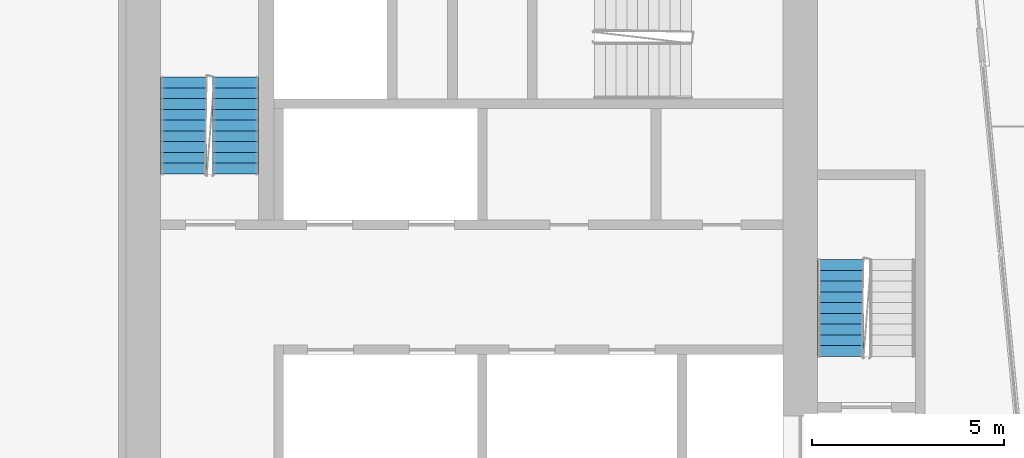
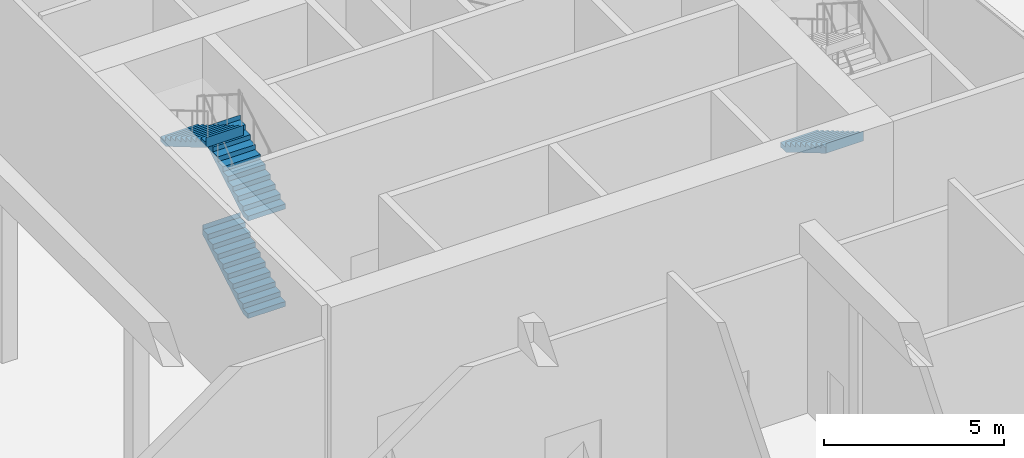
# One storey, part 19 of 24: 4 stair flights, 2 elements without a shape of their own.
"""IFC4 building model written with IfcOpenShell, lengths in metres."""

from ifc_helpers import new_model, si_unit, direction, frame, origin, place, context, subcontext, project, spatial, faceted_brep, material, type_object, element, aggregate, save


model = new_model("IFC4")

# Units and contexts
model_context = context("Model", 3, precision=1e-05, world=origin(), true_north=direction((0.0, 1.0)))
body_context = subcontext(model_context, "Body", "Model", "MODEL_VIEW")
ifc_project = project(units=[si_unit("LENGTHUNIT", "METRE"), si_unit("AREAUNIT", "SQUARE_METRE"), si_unit("VOLUMEUNIT", "CUBIC_METRE"), si_unit("PLANEANGLEUNIT", "RADIAN"), si_unit("MASSUNIT", "GRAM", prefix="KILO")], contexts=[model_context])

# Site, building, storey
site_placement = place(None, origin())
site = spatial("IfcSite", under=ifc_project, at=site_placement, CompositionType="ELEMENT")
building_placement = place(site_placement, origin())
building = spatial("IfcBuilding", under=site, at=building_placement, Name="Kajstack Hotel Tower", CompositionType="ELEMENT")
storey_placement = place(building_placement, frame((0.0, 0.0, 261.89990234375)))
storey = spatial("IfcBuildingStorey", under=building, at=storey_placement, Name="L65", CompositionType="ELEMENT", Elevation=261.89990234375)

# Stair, stair flight
ifc_material = material(Name="Concrete C40/50", Category="concrete")
stair_type = type_object("IfcStairType", Name="Exit stair 1200", PredefinedType="HALF_TURN_STAIR", material=ifc_material)
stair_1_placement = place(storey_placement, origin())
stair_1 = element("IfcStair", 1, at=stair_1_placement, inside=storey, type_object=stair_type, Name="L65 stair E1", PredefinedType="HALF_TURN_STAIR")
stair_flight_type = type_object("IfcStairFlightType", Name="Exit stair flight 1200", PredefinedType="STRAIGHT", material=ifc_material)
stair_flight_1_placement = place(storey_placement, frame((32.10009765625, 7.77001953125, 1.650146484375), z_axis=(0.0, 0.0, 1.0), x_axis=(0.0, -1.0, 0.0)))
stair_flight_1 = element("IfcStairFlight", 2, at=stair_flight_1_placement, type_object=stair_flight_type, Name="E1 flight 2", NumberOfRisers=10, NumberOfTreads=9, PredefinedType="STRAIGHT", RiserHeight=0.165, TreadLength=0.28, context=body_context, shape_type="Brep", body=[
    faceted_brep([(0.295654296875, -0.60009765625, 0.0), (2.5205078125, -0.60009765625, 1.31103515625), (2.5205078125, -0.60009765625, 1.64990234375), (2.52001953125, -0.60009765625, 1.64990234375), (2.52001953125, -0.60009765625, 1.485107421875), (2.239990234375, -0.60009765625, 1.485107421875), (2.239990234375, -0.60009765625, 1.320068359375), (1.9599609375, -0.60009765625, 1.320068359375), (1.9599609375, -0.60009765625, 1.155029296875), (1.679931640625, -0.60009765625, 1.155029296875), (1.679931640625, -0.60009765625, 0.989990234375), (1.39990234375, -0.60009765625, 0.989990234375), (1.39990234375, -0.60009765625, 0.824951171875), (1.1201171875, -0.60009765625, 0.824951171875), (1.1201171875, -0.60009765625, 0.659912109375), (0.840087890625, -0.60009765625, 0.659912109375), (0.840087890625, -0.60009765625, 0.4951171875), (0.56005859375, -0.60009765625, 0.4951171875), (0.56005859375, -0.60009765625, 0.330078125), (0.280029296875, -0.60009765625, 0.330078125), (0.280029296875, -0.60009765625, 0.1650390625), (-0.00048828125, -0.60009765625, 0.1650390625), (-0.00048828125, -0.60009765625, 0.0), (-0.00048828125, 0.60009765625, 0.0), (-0.00048828125, 0.60009765625, 0.1650390625), (0.280029296875, 0.60009765625, 0.1650390625), (0.280029296875, 0.60009765625, 0.330078125), (0.56005859375, 0.60009765625, 0.330078125), (0.56005859375, 0.60009765625, 0.4951171875), (0.840087890625, 0.60009765625, 0.4951171875), (0.840087890625, 0.60009765625, 0.659912109375), (1.1201171875, 0.60009765625, 0.659912109375), (1.1201171875, 0.60009765625, 0.824951171875), (1.39990234375, 0.60009765625, 0.824951171875), (1.39990234375, 0.60009765625, 0.989990234375), (1.679931640625, 0.60009765625, 0.989990234375), (1.679931640625, 0.60009765625, 1.155029296875), (1.9599609375, 0.60009765625, 1.155029296875), (1.9599609375, 0.60009765625, 1.320068359375), (2.239990234375, 0.60009765625, 1.320068359375), (2.239990234375, 0.60009765625, 1.485107421875), (2.52001953125, 0.60009765625, 1.485107421875), (2.52001953125, 0.60009765625, 1.64990234375), (2.5205078125, 0.60009765625, 1.64990234375), (2.5205078125, 0.60009765625, 1.31103515625), (0.295654296875, 0.60009765625, 0.0), (-0.00048828125, -0.300048828125, 0.1650390625), (-0.00048828125, 0.0, 0.1650390625), (-0.00048828125, 0.300048828125, 0.1650390625), (-0.00048828125, 0.300048828125, 0.0), (-0.00048828125, 0.0, 0.0), (-0.00048828125, -0.300048828125, 0.0), (0.280029296875, -0.300048828125, 0.1650390625), (0.280029296875, 0.0, 0.1650390625), (0.280029296875, 0.300048828125, 0.1650390625), (0.280029296875, -0.300048828125, 0.330078125), (0.280029296875, 0.0, 0.330078125), (0.280029296875, 0.300048828125, 0.330078125), (0.56005859375, -0.300048828125, 0.330078125), (0.56005859375, 0.0, 0.330078125), (0.56005859375, 0.300048828125, 0.330078125), (0.56005859375, -0.300048828125, 0.4951171875), (0.56005859375, 0.0, 0.4951171875), (0.56005859375, 0.300048828125, 0.4951171875), (0.840087890625, -0.300048828125, 0.4951171875), (0.840087890625, 0.0, 0.4951171875), (0.840087890625, 0.300048828125, 0.4951171875), (0.840087890625, -0.300048828125, 0.659912109375), (0.840087890625, 0.0, 0.659912109375), (0.840087890625, 0.300048828125, 0.659912109375), (1.1201171875, -0.300048828125, 0.659912109375), (1.1201171875, 0.0, 0.659912109375), (1.1201171875, 0.300048828125, 0.659912109375), (1.1201171875, -0.300048828125, 0.824951171875), (1.1201171875, 0.0, 0.824951171875), (1.1201171875, 0.300048828125, 0.824951171875), (1.39990234375, -0.300048828125, 0.824951171875), (1.39990234375, 0.0, 0.824951171875), (1.39990234375, 0.300048828125, 0.824951171875), (1.39990234375, -0.300048828125, 0.989990234375), (1.39990234375, 0.0, 0.989990234375), (1.39990234375, 0.300048828125, 0.989990234375), (1.679931640625, -0.300048828125, 0.989990234375), (1.679931640625, 0.0, 0.989990234375), (1.679931640625, 0.300048828125, 0.989990234375), (1.679931640625, -0.300048828125, 1.155029296875), (1.679931640625, 0.0, 1.155029296875), (1.679931640625, 0.300048828125, 1.155029296875), (1.9599609375, -0.300048828125, 1.155029296875), (1.9599609375, 0.0, 1.155029296875), (1.9599609375, 0.300048828125, 1.155029296875), (1.9599609375, -0.300048828125, 1.320068359375), (1.9599609375, 0.0, 1.320068359375), (1.9599609375, 0.300048828125, 1.320068359375), (2.239990234375, -0.300048828125, 1.320068359375), (2.239990234375, 0.0, 1.320068359375), (2.239990234375, 0.300048828125, 1.320068359375), (2.239990234375, -0.300048828125, 1.485107421875), (2.239990234375, 0.0, 1.485107421875), (2.239990234375, 0.300048828125, 1.485107421875), (2.52001953125, -0.300048828125, 1.485107421875), (2.52001953125, 0.0, 1.485107421875), (2.52001953125, 0.300048828125, 1.485107421875), (2.52001953125, -0.300048828125, 1.64990234375), (2.52001953125, 0.0, 1.64990234375), (2.52001953125, 0.300048828125, 1.64990234375), (2.5205078125, -0.300048828125, 1.64990234375), (2.5205078125, 0.0, 1.64990234375), (2.5205078125, 0.300048828125, 1.64990234375), (2.5205078125, -0.300048828125, 1.31103515625), (2.5205078125, 0.0, 1.31103515625), (2.5205078125, 0.300048828125, 1.31103515625), (0.295654296875, -0.300048828125, 0.0), (0.295654296875, 0.0, 0.0), (0.295654296875, 0.300048828125, 0.0)], [[[0, 1, 2, 3, 4, 5, 6, 7, 8, 9, 10, 11, 12, 13, 14, 15, 16, 17, 18, 19, 20, 21, 22]], [[23, 24, 25, 26, 27, 28, 29, 30, 31, 32, 33, 34, 35, 36, 37, 38, 39, 40, 41, 42, 43, 44, 45]], [[21, 46, 47, 48, 24, 23, 49, 50, 51, 22]], [[20, 52, 53, 54, 25, 24, 48, 47, 46, 21]], [[19, 55, 56, 57, 26, 25, 54, 53, 52, 20]], [[18, 58, 59, 60, 27, 26, 57, 56, 55, 19]], [[17, 61, 62, 63, 28, 27, 60, 59, 58, 18]], [[16, 64, 65, 66, 29, 28, 63, 62, 61, 17]], [[15, 67, 68, 69, 30, 29, 66, 65, 64, 16]], [[14, 70, 71, 72, 31, 30, 69, 68, 67, 15]], [[13, 73, 74, 75, 32, 31, 72, 71, 70, 14]], [[12, 76, 77, 78, 33, 32, 75, 74, 73, 13]], [[11, 79, 80, 81, 34, 33, 78, 77, 76, 12]], [[10, 82, 83, 84, 35, 34, 81, 80, 79, 11]], [[9, 85, 86, 87, 36, 35, 84, 83, 82, 10]], [[8, 88, 89, 90, 37, 36, 87, 86, 85, 9]], [[7, 91, 92, 93, 38, 37, 90, 89, 88, 8]], [[6, 94, 95, 96, 39, 38, 93, 92, 91, 7]], [[5, 97, 98, 99, 40, 39, 96, 95, 94, 6]], [[4, 100, 101, 102, 41, 40, 99, 98, 97, 5]], [[3, 103, 104, 105, 42, 41, 102, 101, 100, 4]], [[2, 106, 107, 108, 43, 42, 105, 104, 103, 3]], [[1, 109, 110, 111, 44, 43, 108, 107, 106, 2]], [[0, 112, 113, 114, 45, 44, 111, 110, 109, 1]], [[22, 51, 50, 49, 23, 45, 114, 113, 112, 0]]]),
])
aggregate(stair_1, [stair_flight_1])

# Stair, stair flights
stair_2_placement = place(storey_placement, origin())
stair_2 = element("IfcStair", 3, at=stair_2_placement, inside=storey, type_object=stair_type, Name="L65 stair E2", PredefinedType="HALF_TURN_STAIR")
stair_flight_2_placement = place(storey_placement, frame((16.35009765625, 10.0, 0.0), z_axis=(0.0, 0.0, 1.0), x_axis=(0.0, 1.0, 0.0)))
stair_flight_2 = element("IfcStairFlight", 4, at=stair_flight_2_placement, type_object=stair_flight_type, Name="E2 flight 1", NumberOfRisers=10, NumberOfTreads=9, PredefinedType="STRAIGHT", RiserHeight=0.165, TreadLength=0.28, context=body_context, shape_type="Brep", body=[
    faceted_brep([(0.295654296875, -0.60009765625, 0.0), (2.5205078125, -0.60009765625, 1.31103515625), (2.5205078125, -0.60009765625, 1.64990234375), (2.52001953125, -0.60009765625, 1.64990234375), (2.52001953125, -0.60009765625, 1.485107421875), (2.239990234375, -0.60009765625, 1.485107421875), (2.239990234375, -0.60009765625, 1.320068359375), (1.9599609375, -0.60009765625, 1.320068359375), (1.9599609375, -0.60009765625, 1.155029296875), (1.679931640625, -0.60009765625, 1.155029296875), (1.679931640625, -0.60009765625, 0.989990234375), (1.39990234375, -0.60009765625, 0.989990234375), (1.39990234375, -0.60009765625, 0.824951171875), (1.1201171875, -0.60009765625, 0.824951171875), (1.1201171875, -0.60009765625, 0.659912109375), (0.840087890625, -0.60009765625, 0.659912109375), (0.840087890625, -0.60009765625, 0.4951171875), (0.56005859375, -0.60009765625, 0.4951171875), (0.56005859375, -0.60009765625, 0.330078125), (0.280029296875, -0.60009765625, 0.330078125), (0.280029296875, -0.60009765625, 0.1650390625), (-0.00048828125, -0.60009765625, 0.1650390625), (-0.00048828125, -0.60009765625, 0.0), (-0.00048828125, 0.60009765625, 0.0), (-0.00048828125, 0.60009765625, 0.1650390625), (0.280029296875, 0.60009765625, 0.1650390625), (0.280029296875, 0.60009765625, 0.330078125), (0.56005859375, 0.60009765625, 0.330078125), (0.56005859375, 0.60009765625, 0.4951171875), (0.840087890625, 0.60009765625, 0.4951171875), (0.840087890625, 0.60009765625, 0.659912109375), (1.1201171875, 0.60009765625, 0.659912109375), (1.1201171875, 0.60009765625, 0.824951171875), (1.39990234375, 0.60009765625, 0.824951171875), (1.39990234375, 0.60009765625, 0.989990234375), (1.679931640625, 0.60009765625, 0.989990234375), (1.679931640625, 0.60009765625, 1.155029296875), (1.9599609375, 0.60009765625, 1.155029296875), (1.9599609375, 0.60009765625, 1.320068359375), (2.239990234375, 0.60009765625, 1.320068359375), (2.239990234375, 0.60009765625, 1.485107421875), (2.52001953125, 0.60009765625, 1.485107421875), (2.52001953125, 0.60009765625, 1.64990234375), (2.5205078125, 0.60009765625, 1.64990234375), (2.5205078125, 0.60009765625, 1.31103515625), (0.295654296875, 0.60009765625, 0.0), (-0.00048828125, -0.300048828125, 0.1650390625), (-0.00048828125, 0.0, 0.1650390625), (-0.00048828125, 0.300048828125, 0.1650390625), (-0.00048828125, 0.300048828125, 0.0), (-0.00048828125, 0.0, 0.0), (-0.00048828125, -0.300048828125, 0.0), (0.280029296875, -0.300048828125, 0.1650390625), (0.280029296875, 0.0, 0.1650390625), (0.280029296875, 0.300048828125, 0.1650390625), (0.280029296875, -0.300048828125, 0.330078125), (0.280029296875, 0.0, 0.330078125), (0.280029296875, 0.300048828125, 0.330078125), (0.56005859375, -0.300048828125, 0.330078125), (0.56005859375, 0.0, 0.330078125), (0.56005859375, 0.300048828125, 0.330078125), (0.56005859375, -0.300048828125, 0.4951171875), (0.56005859375, 0.0, 0.4951171875), (0.56005859375, 0.300048828125, 0.4951171875), (0.840087890625, -0.300048828125, 0.4951171875), (0.840087890625, 0.0, 0.4951171875), (0.840087890625, 0.300048828125, 0.4951171875), (0.840087890625, -0.300048828125, 0.659912109375), (0.840087890625, 0.0, 0.659912109375), (0.840087890625, 0.300048828125, 0.659912109375), (1.1201171875, -0.300048828125, 0.659912109375), (1.1201171875, 0.0, 0.659912109375), (1.1201171875, 0.300048828125, 0.659912109375), (1.1201171875, -0.300048828125, 0.824951171875), (1.1201171875, 0.0, 0.824951171875), (1.1201171875, 0.300048828125, 0.824951171875), (1.39990234375, -0.300048828125, 0.824951171875), (1.39990234375, 0.0, 0.824951171875), (1.39990234375, 0.300048828125, 0.824951171875), (1.39990234375, -0.300048828125, 0.989990234375), (1.39990234375, 0.0, 0.989990234375), (1.39990234375, 0.300048828125, 0.989990234375), (1.679931640625, -0.300048828125, 0.989990234375), (1.679931640625, 0.0, 0.989990234375), (1.679931640625, 0.300048828125, 0.989990234375), (1.679931640625, -0.300048828125, 1.155029296875), (1.679931640625, 0.0, 1.155029296875), (1.679931640625, 0.300048828125, 1.155029296875), (1.9599609375, -0.300048828125, 1.155029296875), (1.9599609375, 0.0, 1.155029296875), (1.9599609375, 0.300048828125, 1.155029296875), (1.9599609375, -0.300048828125, 1.320068359375), (1.9599609375, 0.0, 1.320068359375), (1.9599609375, 0.300048828125, 1.320068359375), (2.239990234375, -0.300048828125, 1.320068359375), (2.239990234375, 0.0, 1.320068359375), (2.239990234375, 0.300048828125, 1.320068359375), (2.239990234375, -0.300048828125, 1.485107421875), (2.239990234375, 0.0, 1.485107421875), (2.239990234375, 0.300048828125, 1.485107421875), (2.52001953125, -0.300048828125, 1.485107421875), (2.52001953125, 0.0, 1.485107421875), (2.52001953125, 0.300048828125, 1.485107421875), (2.52001953125, -0.300048828125, 1.64990234375), (2.52001953125, 0.0, 1.64990234375), (2.52001953125, 0.300048828125, 1.64990234375), (2.5205078125, -0.300048828125, 1.64990234375), (2.5205078125, 0.0, 1.64990234375), (2.5205078125, 0.300048828125, 1.64990234375), (2.5205078125, -0.300048828125, 1.31103515625), (2.5205078125, 0.0, 1.31103515625), (2.5205078125, 0.300048828125, 1.31103515625), (0.295654296875, -0.300048828125, 0.0), (0.295654296875, 0.0, 0.0), (0.295654296875, 0.300048828125, 0.0)], [[[0, 1, 2, 3, 4, 5, 6, 7, 8, 9, 10, 11, 12, 13, 14, 15, 16, 17, 18, 19, 20, 21, 22]], [[23, 24, 25, 26, 27, 28, 29, 30, 31, 32, 33, 34, 35, 36, 37, 38, 39, 40, 41, 42, 43, 44, 45]], [[21, 46, 47, 48, 24, 23, 49, 50, 51, 22]], [[20, 52, 53, 54, 25, 24, 48, 47, 46, 21]], [[19, 55, 56, 57, 26, 25, 54, 53, 52, 20]], [[18, 58, 59, 60, 27, 26, 57, 56, 55, 19]], [[17, 61, 62, 63, 28, 27, 60, 59, 58, 18]], [[16, 64, 65, 66, 29, 28, 63, 62, 61, 17]], [[15, 67, 68, 69, 30, 29, 66, 65, 64, 16]], [[14, 70, 71, 72, 31, 30, 69, 68, 67, 15]], [[13, 73, 74, 75, 32, 31, 72, 71, 70, 14]], [[12, 76, 77, 78, 33, 32, 75, 74, 73, 13]], [[11, 79, 80, 81, 34, 33, 78, 77, 76, 12]], [[10, 82, 83, 84, 35, 34, 81, 80, 79, 11]], [[9, 85, 86, 87, 36, 35, 84, 83, 82, 10]], [[8, 88, 89, 90, 37, 36, 87, 86, 85, 9]], [[7, 91, 92, 93, 38, 37, 90, 89, 88, 8]], [[6, 94, 95, 96, 39, 38, 93, 92, 91, 7]], [[5, 97, 98, 99, 40, 39, 96, 95, 94, 6]], [[4, 100, 101, 102, 41, 40, 99, 98, 97, 5]], [[3, 103, 104, 105, 42, 41, 102, 101, 100, 4]], [[2, 106, 107, 108, 43, 42, 105, 104, 103, 3]], [[1, 109, 110, 111, 44, 43, 108, 107, 106, 2]], [[0, 112, 113, 114, 45, 44, 111, 110, 109, 1]], [[22, 51, 50, 49, 23, 45, 114, 113, 112, 0]]]),
])
stair_flight_3_placement = place(storey_placement, frame((16.35009765625, 10.0, 3.300048828125), z_axis=(0.0, 0.0, 1.0), x_axis=(0.0, 1.0, 0.0)))
stair_flight_3 = element("IfcStairFlight", 5, at=stair_flight_3_placement, type_object=stair_flight_type, Name="E2 flight 3", NumberOfRisers=10, NumberOfTreads=9, PredefinedType="STRAIGHT", RiserHeight=0.165, TreadLength=0.28, context=body_context, shape_type="Brep", body=[
    faceted_brep([(0.295654296875, -0.60009765625, 0.0), (2.5205078125, -0.60009765625, 1.31103515625), (2.5205078125, -0.60009765625, 1.64990234375), (2.52001953125, -0.60009765625, 1.64990234375), (2.52001953125, -0.60009765625, 1.485107421875), (2.239990234375, -0.60009765625, 1.485107421875), (2.239990234375, -0.60009765625, 1.320068359375), (1.9599609375, -0.60009765625, 1.320068359375), (1.9599609375, -0.60009765625, 1.155029296875), (1.679931640625, -0.60009765625, 1.155029296875), (1.679931640625, -0.60009765625, 0.989990234375), (1.39990234375, -0.60009765625, 0.989990234375), (1.39990234375, -0.60009765625, 0.824951171875), (1.1201171875, -0.60009765625, 0.824951171875), (1.1201171875, -0.60009765625, 0.659912109375), (0.840087890625, -0.60009765625, 0.659912109375), (0.840087890625, -0.60009765625, 0.4951171875), (0.56005859375, -0.60009765625, 0.4951171875), (0.56005859375, -0.60009765625, 0.330078125), (0.280029296875, -0.60009765625, 0.330078125), (0.280029296875, -0.60009765625, 0.1650390625), (-0.00048828125, -0.60009765625, 0.1650390625), (-0.00048828125, -0.60009765625, 0.0), (-0.00048828125, 0.60009765625, 0.0), (-0.00048828125, 0.60009765625, 0.1650390625), (0.280029296875, 0.60009765625, 0.1650390625), (0.280029296875, 0.60009765625, 0.330078125), (0.56005859375, 0.60009765625, 0.330078125), (0.56005859375, 0.60009765625, 0.4951171875), (0.840087890625, 0.60009765625, 0.4951171875), (0.840087890625, 0.60009765625, 0.659912109375), (1.1201171875, 0.60009765625, 0.659912109375), (1.1201171875, 0.60009765625, 0.824951171875), (1.39990234375, 0.60009765625, 0.824951171875), (1.39990234375, 0.60009765625, 0.989990234375), (1.679931640625, 0.60009765625, 0.989990234375), (1.679931640625, 0.60009765625, 1.155029296875), (1.9599609375, 0.60009765625, 1.155029296875), (1.9599609375, 0.60009765625, 1.320068359375), (2.239990234375, 0.60009765625, 1.320068359375), (2.239990234375, 0.60009765625, 1.485107421875), (2.52001953125, 0.60009765625, 1.485107421875), (2.52001953125, 0.60009765625, 1.64990234375), (2.5205078125, 0.60009765625, 1.64990234375), (2.5205078125, 0.60009765625, 1.31103515625), (0.295654296875, 0.60009765625, 0.0), (-0.00048828125, -0.300048828125, 0.1650390625), (-0.00048828125, 0.0, 0.1650390625), (-0.00048828125, 0.300048828125, 0.1650390625), (-0.00048828125, 0.300048828125, 0.0), (-0.00048828125, 0.0, 0.0), (-0.00048828125, -0.300048828125, 0.0), (0.280029296875, -0.300048828125, 0.1650390625), (0.280029296875, 0.0, 0.1650390625), (0.280029296875, 0.300048828125, 0.1650390625), (0.280029296875, -0.300048828125, 0.330078125), (0.280029296875, 0.0, 0.330078125), (0.280029296875, 0.300048828125, 0.330078125), (0.56005859375, -0.300048828125, 0.330078125), (0.56005859375, 0.0, 0.330078125), (0.56005859375, 0.300048828125, 0.330078125), (0.56005859375, -0.300048828125, 0.4951171875), (0.56005859375, 0.0, 0.4951171875), (0.56005859375, 0.300048828125, 0.4951171875), (0.840087890625, -0.300048828125, 0.4951171875), (0.840087890625, 0.0, 0.4951171875), (0.840087890625, 0.300048828125, 0.4951171875), (0.840087890625, -0.300048828125, 0.659912109375), (0.840087890625, 0.0, 0.659912109375), (0.840087890625, 0.300048828125, 0.659912109375), (1.1201171875, -0.300048828125, 0.659912109375), (1.1201171875, 0.0, 0.659912109375), (1.1201171875, 0.300048828125, 0.659912109375), (1.1201171875, -0.300048828125, 0.824951171875), (1.1201171875, 0.0, 0.824951171875), (1.1201171875, 0.300048828125, 0.824951171875), (1.39990234375, -0.300048828125, 0.824951171875), (1.39990234375, 0.0, 0.824951171875), (1.39990234375, 0.300048828125, 0.824951171875), (1.39990234375, -0.300048828125, 0.989990234375), (1.39990234375, 0.0, 0.989990234375), (1.39990234375, 0.300048828125, 0.989990234375), (1.679931640625, -0.300048828125, 0.989990234375), (1.679931640625, 0.0, 0.989990234375), (1.679931640625, 0.300048828125, 0.989990234375), (1.679931640625, -0.300048828125, 1.155029296875), (1.679931640625, 0.0, 1.155029296875), (1.679931640625, 0.300048828125, 1.155029296875), (1.9599609375, -0.300048828125, 1.155029296875), (1.9599609375, 0.0, 1.155029296875), (1.9599609375, 0.300048828125, 1.155029296875), (1.9599609375, -0.300048828125, 1.320068359375), (1.9599609375, 0.0, 1.320068359375), (1.9599609375, 0.300048828125, 1.320068359375), (2.239990234375, -0.300048828125, 1.320068359375), (2.239990234375, 0.0, 1.320068359375), (2.239990234375, 0.300048828125, 1.320068359375), (2.239990234375, -0.300048828125, 1.485107421875), (2.239990234375, 0.0, 1.485107421875), (2.239990234375, 0.300048828125, 1.485107421875), (2.52001953125, -0.300048828125, 1.485107421875), (2.52001953125, 0.0, 1.485107421875), (2.52001953125, 0.300048828125, 1.485107421875), (2.52001953125, -0.300048828125, 1.64990234375), (2.52001953125, 0.0, 1.64990234375), (2.52001953125, 0.300048828125, 1.64990234375), (2.5205078125, -0.300048828125, 1.64990234375), (2.5205078125, 0.0, 1.64990234375), (2.5205078125, 0.300048828125, 1.64990234375), (2.5205078125, -0.300048828125, 1.31103515625), (2.5205078125, 0.0, 1.31103515625), (2.5205078125, 0.300048828125, 1.31103515625), (0.295654296875, -0.300048828125, 0.0), (0.295654296875, 0.0, 0.0), (0.295654296875, 0.300048828125, 0.0)], [[[0, 1, 2, 3, 4, 5, 6, 7, 8, 9, 10, 11, 12, 13, 14, 15, 16, 17, 18, 19, 20, 21, 22]], [[23, 24, 25, 26, 27, 28, 29, 30, 31, 32, 33, 34, 35, 36, 37, 38, 39, 40, 41, 42, 43, 44, 45]], [[21, 46, 47, 48, 24, 23, 49, 50, 51, 22]], [[20, 52, 53, 54, 25, 24, 48, 47, 46, 21]], [[19, 55, 56, 57, 26, 25, 54, 53, 52, 20]], [[18, 58, 59, 60, 27, 26, 57, 56, 55, 19]], [[17, 61, 62, 63, 28, 27, 60, 59, 58, 18]], [[16, 64, 65, 66, 29, 28, 63, 62, 61, 17]], [[15, 67, 68, 69, 30, 29, 66, 65, 64, 16]], [[14, 70, 71, 72, 31, 30, 69, 68, 67, 15]], [[13, 73, 74, 75, 32, 31, 72, 71, 70, 14]], [[12, 76, 77, 78, 33, 32, 75, 74, 73, 13]], [[11, 79, 80, 81, 34, 33, 78, 77, 76, 12]], [[10, 82, 83, 84, 35, 34, 81, 80, 79, 11]], [[9, 85, 86, 87, 36, 35, 84, 83, 82, 10]], [[8, 88, 89, 90, 37, 36, 87, 86, 85, 9]], [[7, 91, 92, 93, 38, 37, 90, 89, 88, 8]], [[6, 94, 95, 96, 39, 38, 93, 92, 91, 7]], [[5, 97, 98, 99, 40, 39, 96, 95, 94, 6]], [[4, 100, 101, 102, 41, 40, 99, 98, 97, 5]], [[3, 103, 104, 105, 42, 41, 102, 101, 100, 4]], [[2, 106, 107, 108, 43, 42, 105, 104, 103, 3]], [[1, 109, 110, 111, 44, 43, 108, 107, 106, 2]], [[0, 112, 113, 114, 45, 44, 111, 110, 109, 1]], [[22, 51, 50, 49, 23, 45, 114, 113, 112, 0]]]),
])
stair_flight_4_placement = place(storey_placement, frame((15.0, 12.52001953125, 4.9501953125), z_axis=(0.0, 0.0, 1.0), x_axis=(0.0, -1.0, 0.0)))
stair_flight_4 = element("IfcStairFlight", 6, at=stair_flight_4_placement, type_object=stair_flight_type, Name="E2 flight 4", NumberOfRisers=10, NumberOfTreads=9, PredefinedType="STRAIGHT", RiserHeight=0.165, TreadLength=0.28, context=body_context, shape_type="Brep", body=[
    faceted_brep([(0.295654296875, -0.60009765625, 0.0), (2.5205078125, -0.60009765625, 1.31103515625), (2.5205078125, -0.60009765625, 1.64990234375), (2.52001953125, -0.60009765625, 1.64990234375), (2.52001953125, -0.60009765625, 1.485107421875), (2.239990234375, -0.60009765625, 1.485107421875), (2.239990234375, -0.60009765625, 1.320068359375), (1.9599609375, -0.60009765625, 1.320068359375), (1.9599609375, -0.60009765625, 1.155029296875), (1.679931640625, -0.60009765625, 1.155029296875), (1.679931640625, -0.60009765625, 0.989990234375), (1.39990234375, -0.60009765625, 0.989990234375), (1.39990234375, -0.60009765625, 0.824951171875), (1.1201171875, -0.60009765625, 0.824951171875), (1.1201171875, -0.60009765625, 0.659912109375), (0.840087890625, -0.60009765625, 0.659912109375), (0.840087890625, -0.60009765625, 0.4951171875), (0.56005859375, -0.60009765625, 0.4951171875), (0.56005859375, -0.60009765625, 0.330078125), (0.280029296875, -0.60009765625, 0.330078125), (0.280029296875, -0.60009765625, 0.1650390625), (-0.00048828125, -0.60009765625, 0.1650390625), (-0.00048828125, -0.60009765625, 0.0), (-0.00048828125, 0.60009765625, 0.0), (-0.00048828125, 0.60009765625, 0.1650390625), (0.280029296875, 0.60009765625, 0.1650390625), (0.280029296875, 0.60009765625, 0.330078125), (0.56005859375, 0.60009765625, 0.330078125), (0.56005859375, 0.60009765625, 0.4951171875), (0.840087890625, 0.60009765625, 0.4951171875), (0.840087890625, 0.60009765625, 0.659912109375), (1.1201171875, 0.60009765625, 0.659912109375), (1.1201171875, 0.60009765625, 0.824951171875), (1.39990234375, 0.60009765625, 0.824951171875), (1.39990234375, 0.60009765625, 0.989990234375), (1.679931640625, 0.60009765625, 0.989990234375), (1.679931640625, 0.60009765625, 1.155029296875), (1.9599609375, 0.60009765625, 1.155029296875), (1.9599609375, 0.60009765625, 1.320068359375), (2.239990234375, 0.60009765625, 1.320068359375), (2.239990234375, 0.60009765625, 1.485107421875), (2.52001953125, 0.60009765625, 1.485107421875), (2.52001953125, 0.60009765625, 1.64990234375), (2.5205078125, 0.60009765625, 1.64990234375), (2.5205078125, 0.60009765625, 1.31103515625), (0.295654296875, 0.60009765625, 0.0), (-0.00048828125, -0.300048828125, 0.1650390625), (-0.00048828125, 0.0, 0.1650390625), (-0.00048828125, 0.300048828125, 0.1650390625), (-0.00048828125, 0.300048828125, 0.0), (-0.00048828125, 0.0, 0.0), (-0.00048828125, -0.300048828125, 0.0), (0.280029296875, -0.300048828125, 0.1650390625), (0.280029296875, 0.0, 0.1650390625), (0.280029296875, 0.300048828125, 0.1650390625), (0.280029296875, -0.300048828125, 0.330078125), (0.280029296875, 0.0, 0.330078125), (0.280029296875, 0.300048828125, 0.330078125), (0.56005859375, -0.300048828125, 0.330078125), (0.56005859375, 0.0, 0.330078125), (0.56005859375, 0.300048828125, 0.330078125), (0.56005859375, -0.300048828125, 0.4951171875), (0.56005859375, 0.0, 0.4951171875), (0.56005859375, 0.300048828125, 0.4951171875), (0.840087890625, -0.300048828125, 0.4951171875), (0.840087890625, 0.0, 0.4951171875), (0.840087890625, 0.300048828125, 0.4951171875), (0.840087890625, -0.300048828125, 0.659912109375), (0.840087890625, 0.0, 0.659912109375), (0.840087890625, 0.300048828125, 0.659912109375), (1.1201171875, -0.300048828125, 0.659912109375), (1.1201171875, 0.0, 0.659912109375), (1.1201171875, 0.300048828125, 0.659912109375), (1.1201171875, -0.300048828125, 0.824951171875), (1.1201171875, 0.0, 0.824951171875), (1.1201171875, 0.300048828125, 0.824951171875), (1.39990234375, -0.300048828125, 0.824951171875), (1.39990234375, 0.0, 0.824951171875), (1.39990234375, 0.300048828125, 0.824951171875), (1.39990234375, -0.300048828125, 0.989990234375), (1.39990234375, 0.0, 0.989990234375), (1.39990234375, 0.300048828125, 0.989990234375), (1.679931640625, -0.300048828125, 0.989990234375), (1.679931640625, 0.0, 0.989990234375), (1.679931640625, 0.300048828125, 0.989990234375), (1.679931640625, -0.300048828125, 1.155029296875), (1.679931640625, 0.0, 1.155029296875), (1.679931640625, 0.300048828125, 1.155029296875), (1.9599609375, -0.300048828125, 1.155029296875), (1.9599609375, 0.0, 1.155029296875), (1.9599609375, 0.300048828125, 1.155029296875), (1.9599609375, -0.300048828125, 1.320068359375), (1.9599609375, 0.0, 1.320068359375), (1.9599609375, 0.300048828125, 1.320068359375), (2.239990234375, -0.300048828125, 1.320068359375), (2.239990234375, 0.0, 1.320068359375), (2.239990234375, 0.300048828125, 1.320068359375), (2.239990234375, -0.300048828125, 1.485107421875), (2.239990234375, 0.0, 1.485107421875), (2.239990234375, 0.300048828125, 1.485107421875), (2.52001953125, -0.300048828125, 1.485107421875), (2.52001953125, 0.0, 1.485107421875), (2.52001953125, 0.300048828125, 1.485107421875), (2.52001953125, -0.300048828125, 1.64990234375), (2.52001953125, 0.0, 1.64990234375), (2.52001953125, 0.300048828125, 1.64990234375), (2.5205078125, -0.300048828125, 1.64990234375), (2.5205078125, 0.0, 1.64990234375), (2.5205078125, 0.300048828125, 1.64990234375), (2.5205078125, -0.300048828125, 1.31103515625), (2.5205078125, 0.0, 1.31103515625), (2.5205078125, 0.300048828125, 1.31103515625), (0.295654296875, -0.300048828125, 0.0), (0.295654296875, 0.0, 0.0), (0.295654296875, 0.300048828125, 0.0)], [[[0, 1, 2, 3, 4, 5, 6, 7, 8, 9, 10, 11, 12, 13, 14, 15, 16, 17, 18, 19, 20, 21, 22]], [[23, 24, 25, 26, 27, 28, 29, 30, 31, 32, 33, 34, 35, 36, 37, 38, 39, 40, 41, 42, 43, 44, 45]], [[21, 46, 47, 48, 24, 23, 49, 50, 51, 22]], [[20, 52, 53, 54, 25, 24, 48, 47, 46, 21]], [[19, 55, 56, 57, 26, 25, 54, 53, 52, 20]], [[18, 58, 59, 60, 27, 26, 57, 56, 55, 19]], [[17, 61, 62, 63, 28, 27, 60, 59, 58, 18]], [[16, 64, 65, 66, 29, 28, 63, 62, 61, 17]], [[15, 67, 68, 69, 30, 29, 66, 65, 64, 16]], [[14, 70, 71, 72, 31, 30, 69, 68, 67, 15]], [[13, 73, 74, 75, 32, 31, 72, 71, 70, 14]], [[12, 76, 77, 78, 33, 32, 75, 74, 73, 13]], [[11, 79, 80, 81, 34, 33, 78, 77, 76, 12]], [[10, 82, 83, 84, 35, 34, 81, 80, 79, 11]], [[9, 85, 86, 87, 36, 35, 84, 83, 82, 10]], [[8, 88, 89, 90, 37, 36, 87, 86, 85, 9]], [[7, 91, 92, 93, 38, 37, 90, 89, 88, 8]], [[6, 94, 95, 96, 39, 38, 93, 92, 91, 7]], [[5, 97, 98, 99, 40, 39, 96, 95, 94, 6]], [[4, 100, 101, 102, 41, 40, 99, 98, 97, 5]], [[3, 103, 104, 105, 42, 41, 102, 101, 100, 4]], [[2, 106, 107, 108, 43, 42, 105, 104, 103, 3]], [[1, 109, 110, 111, 44, 43, 108, 107, 106, 2]], [[0, 112, 113, 114, 45, 44, 111, 110, 109, 1]], [[22, 51, 50, 49, 23, 45, 114, 113, 112, 0]]]),
])
aggregate(stair_2, [stair_flight_2, stair_flight_3, stair_flight_4])

save(model, "model.ifc")
